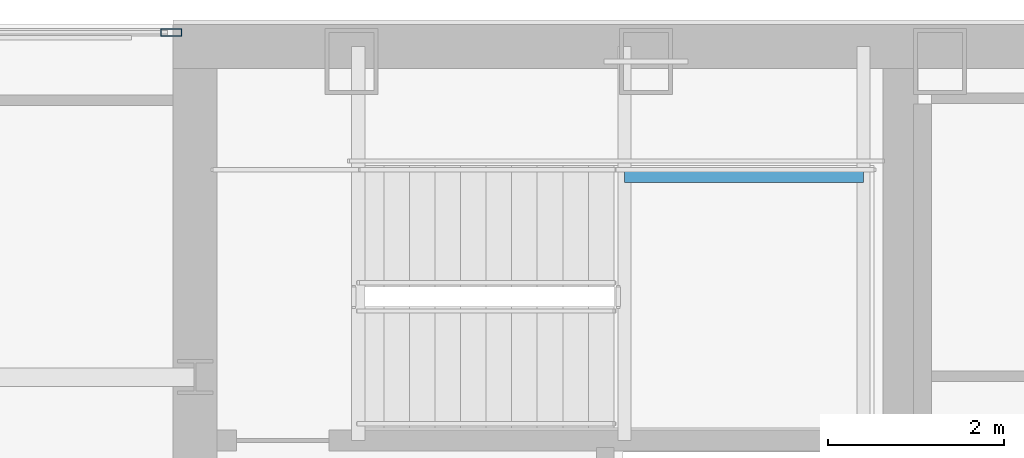
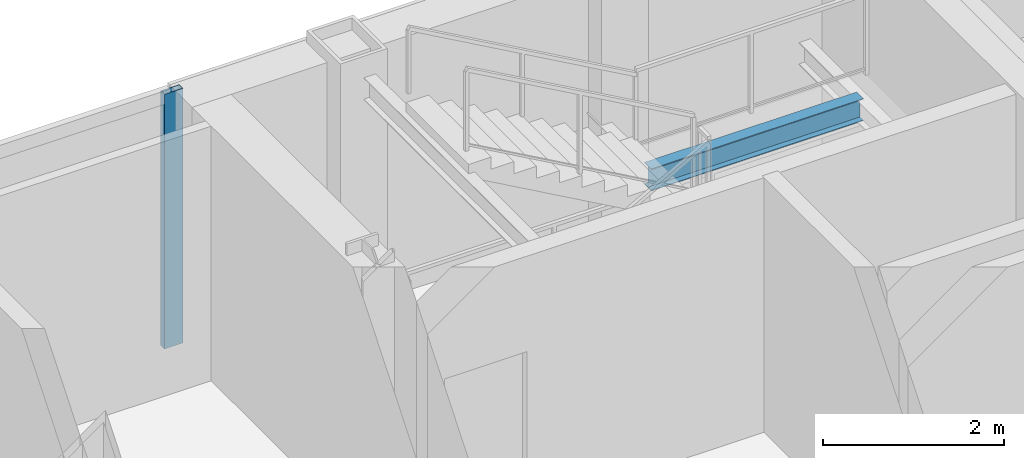
# One storey, part 21 of 30: 1 beam, 1 member, 1 element without a shape of its own.
"""IFC4 building model written with IfcOpenShell, lengths in metres."""

from ifc_helpers import new_model, si_unit, direction, frame, origin, origin_2d, place, context, subcontext, project, spatial, hollow_rectangle, i_section, extrude, material, material_profile, profile_set, type_object, element, aggregate, save


model = new_model("IFC4")

# Units and contexts
model_context = context("Model", 3, precision=1e-05, world=origin(), true_north=direction((0.0, 1.0)))
body_context = subcontext(model_context, "Body", "Model", "MODEL_VIEW")
ifc_project = project(units=[si_unit("LENGTHUNIT", "METRE"), si_unit("AREAUNIT", "SQUARE_METRE"), si_unit("VOLUMEUNIT", "CUBIC_METRE"), si_unit("PLANEANGLEUNIT", "RADIAN"), si_unit("MASSUNIT", "GRAM", prefix="KILO")], contexts=[model_context])

# Site, building, storey
site_placement = place(None, origin())
site = spatial("IfcSite", under=ifc_project, at=site_placement, CompositionType="ELEMENT")
building_placement = place(site_placement, origin())
building = spatial("IfcBuilding", under=site, at=building_placement, Name="Khoronbel Lancet Exchange", CompositionType="ELEMENT")
storey_placement = place(building_placement, frame((0.0, 0.0, 280.60009765625)))
storey = spatial("IfcBuildingStorey", under=building, at=storey_placement, Name="L72", CompositionType="ELEMENT", Elevation=280.60009765625)

# Beam
ifc_material_1 = material(Name="Steel S355", Category="steel")
ifc_material_profile_1 = material_profile(ifc_material_1, i_section(OverallWidth=0.14990234375, OverallDepth=0.300048828125, WebThickness=0.007080078125, FlangeThickness=0.0107421875, at=origin_2d()), Name="IPE 300")
ifc_profile_set_1 = profile_set([ifc_material_profile_1], Name="Steel S355")
beam_type = type_object("IfcBeamType", Name="BM-BJ8", PredefinedType="JOIST", material=ifc_profile_set_1)
beam_placement = place(storey_placement, frame((21.320068359375, 51.97998046875, 1.449951171875), z_axis=(1.0, 0.0, 0.0), x_axis=(0.0, 1.0, 0.0)))
element("IfcBeam", 1, at=beam_placement, inside=storey, type_object=beam_type, Name="Level L72 stair ST1 landing cross trimmer beam 1", PredefinedType="JOIST", context=body_context, shape_type="SweptSolid", body=[
    extrude(i_section(OverallWidth=0.14990234375, OverallDepth=0.300048828125, WebThickness=0.007080078125, FlangeThickness=0.0107421875, at=origin_2d()), origin(), (0.0, 0.0, 1.0), 2.7099609375),
])

# Curtain wall, member
ifc_material_2 = material(Name="Low-E Solar Control Insulating Glass", Category="glass")
curtain_wall_type = type_object("IfcCurtainWallType", Name="CW-3", PredefinedType="NOTDEFINED", material=ifc_material_2)
curtain_wall_placement = place(storey_placement, origin())
curtain_wall = element("IfcCurtainWall", 2, at=curtain_wall_placement, inside=storey, type_object=curtain_wall_type, Name="Unitised curtain wall CW-L72-NWFLK", PredefinedType="NOTDEFINED")
ifc_material_3 = material(Name="Bronze-Anodised Aluminium 6063-T6", Category="aluminium")
ifc_material_profile_2 = material_profile(ifc_material_3, hollow_rectangle(XDim=0.0849609375, YDim=0.239990234375, WallThickness=0.006103515625, at=origin_2d()), Name="ALU MULLION 85x240")
ifc_profile_set_2 = profile_set([ifc_material_profile_2], Name="Bronze-Anodised Aluminium 6063-T6")
member_type = type_object("IfcMemberType", Name="MEM-CWM1", PredefinedType="MULLION", material=ifc_profile_set_2)
member_placement = place(storey_placement, frame((16.177490234375, 53.610107421875, 0.0), z_axis=(0.0, 0.0, 1.0), x_axis=(0.0, -1.0, 0.0)))
member = element("IfcMember", 3, at=member_placement, type_object=member_type, Name="CW3 mullion 1", PredefinedType="MULLION", context=body_context, shape_type="SweptSolid", body=[
    extrude(hollow_rectangle(XDim=0.0849609375, YDim=0.239990234375, WallThickness=0.006103515625, at=origin_2d()), origin(), (0.0, 0.0, 1.0), 3.43994140625),
])
aggregate(curtain_wall, [member])

save(model, "model.ifc")
